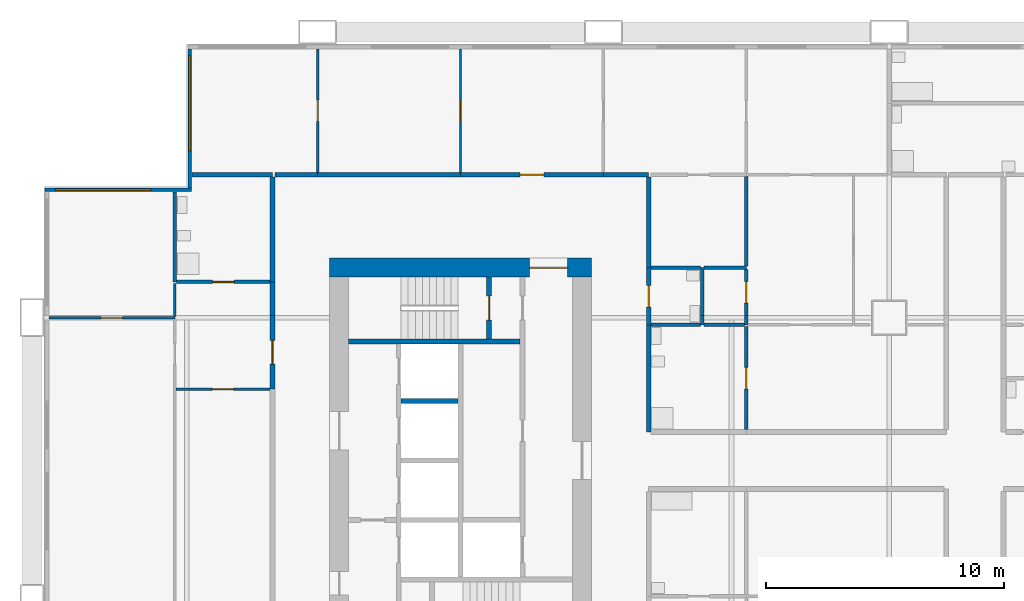
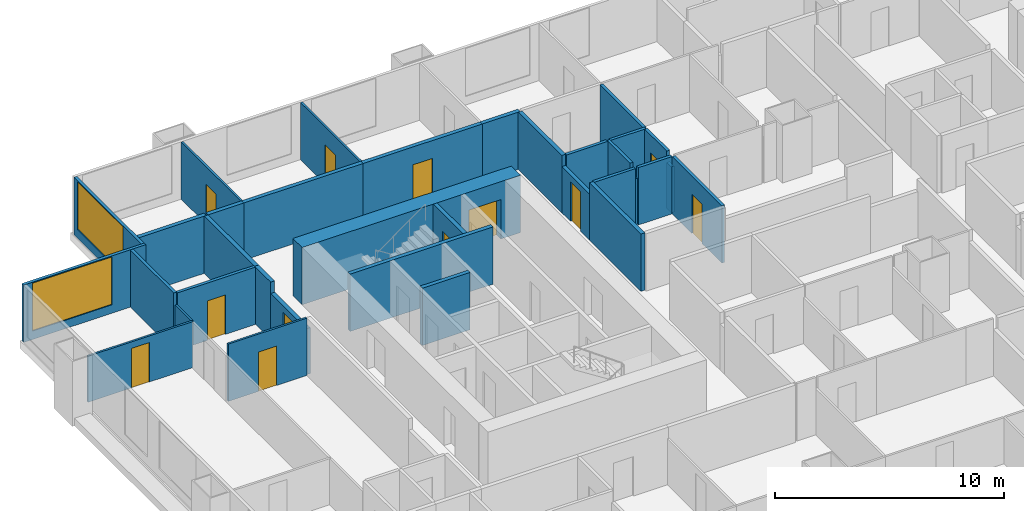
# One storey, part 7 of 13: 34 walls, 12 doors, 2 windows, 14 openings.
"""IFC4 building model written with IfcOpenShell, lengths in metres."""

from ifc_helpers import new_model, si_unit, direction, frame, frame_2d, origin, place, context, subcontext, project, spatial, rectangle, extrude, material, layer, layer_set, type_object, element, fill, save


model = new_model("IFC4")

# Units and contexts
model_context = context("Model", 3, precision=1e-05, world=origin(), true_north=direction((0.0, 1.0)))
body_context = subcontext(model_context, "Body", "Model", "MODEL_VIEW")
ifc_project = project(units=[si_unit("LENGTHUNIT", "METRE"), si_unit("AREAUNIT", "SQUARE_METRE"), si_unit("VOLUMEUNIT", "CUBIC_METRE"), si_unit("PLANEANGLEUNIT", "RADIAN"), si_unit("MASSUNIT", "GRAM", prefix="KILO")], contexts=[model_context])

# Site, building, storey
site_placement = place(None, origin())
site = spatial("IfcSite", under=ifc_project, at=site_placement, CompositionType="ELEMENT")
building_placement = place(site_placement, origin())
building = spatial("IfcBuilding", under=site, at=building_placement, Name="Kitamizu Gate Tower and Museum", CompositionType="ELEMENT")
storey_placement = place(building_placement, frame((0.0, 0.0, 88.64990234375)))
storey = spatial("IfcBuildingStorey", under=building, at=storey_placement, Name="L22", CompositionType="ELEMENT", Elevation=88.64990234375)

# Wall, opening, door
ifc_material_1 = material(Name="Concrete Fc60", Category="concrete")
ifc_layer_1 = layer(ifc_material_1, 0.800048828125)
ifc_layer_set_1 = layer_set([ifc_layer_1], Name="Concrete Fc60")
wall_type_1 = type_object("IfcWallType", Name="Core wall 800", PredefinedType="SHEAR", material=ifc_layer_set_1)
wall_1_placement = place(storey_placement, frame((12.5, 38.10009765625, 0.0), z_axis=(0.0, 0.0, 1.0), x_axis=(1.0, 0.0, 0.0)))
wall_1 = element("IfcWall", 1, at=wall_1_placement, inside=storey, type_object=wall_type_1, Name="Core wall WN", PredefinedType="SHEAR", context=body_context, shape_type="SweptSolid", body=[
    extrude(rectangle(XDim=11.0, YDim=0.800048828125, at=frame_2d((5.5, 0.0))), origin(), (0.0, 0.0, 1.0), 3.050048828125),
])
opening_1_placement = place(wall_1_placement, frame((8.39990234375, 0.0, 0.0)))
opening_1 = element("IfcOpeningElement", 2, at=opening_1_placement, cuts=wall_1, Name="Opening L22-083", PredefinedType="OPENING", context=body_context, shape_type="SweptSolid", body=[
    extrude(rectangle(XDim=1.60009765625, YDim=2.10009765625, at=frame_2d((0.800048828125, 1.050048828125))), frame((0.0, 0.41015625, 0.0), z_axis=(0.0, -1.0, 0.0), x_axis=(1.0, 0.0, 0.0)), (0.0, 0.0, 1.0), 0.820068359375),
])
ifc_material_2 = material(Name="Timber door set", Category="wood")
door_type_1 = type_object("IfcDoorType", Name="Entrance door 1600", OperationType="DOUBLE_DOOR_SINGLE_SWING", PredefinedType="DOOR", material=ifc_material_2)
door_1_placement = place(opening_1_placement, origin())
door_1 = element("IfcDoor", 3, at=door_1_placement, inside=storey, type_object=door_type_1, Name="Lobby door L22-083", OperationType="DOUBLE_DOOR_SINGLE_SWING", OverallHeight=2.10009765625, OverallWidth=1.60009765625, PredefinedType="DOOR", context=body_context, shape_type="SweptSolid", body=[
    extrude(rectangle(XDim=1.60009765625, YDim=2.10009765625, at=frame_2d((0.800048828125, 1.050048828125))), frame((0.0, 0.02490234375, 0.0), z_axis=(0.0, -1.0, 0.0), x_axis=(1.0, 0.0, 0.0)), (0.0, 0.0, 1.0), 0.050048828125),
])
fill(opening_1, door_1)

ifc_material_3 = material(Name="Gypsum board on galvanised stud")
ifc_layer_2 = layer(ifc_material_3, 0.10009765625)
ifc_layer_set_2 = layer_set([ifc_layer_2], Name="Gypsum board on galvanised stud")
wall_type_2 = type_object("IfcWallType", Name="Partition 100 NOT RATED", PredefinedType="PARTITIONING", material=ifc_layer_set_2)
wall_2_placement = place(storey_placement, frame((6.0, 36.0, 0.0), z_axis=(0.0, 0.0, 1.0), x_axis=(-1.0, 0.0, 0.0)))
wall_2 = element("IfcWall", 4, at=wall_2_placement, inside=storey, type_object=wall_type_2, Name="Partition L22-066", PredefinedType="PARTITIONING", context=body_context, shape_type="SweptSolid", body=[
    extrude(rectangle(XDim=5.280029296875, YDim=0.10009765625, at=frame_2d((2.64013671875, 0.0))), origin(), (0.0, 0.0, 1.0), 2.4501953125),
])
opening_2_placement = place(wall_2_placement, frame((2.18994140625, 0.0, 0.0)))
opening_2 = element("IfcOpeningElement", 5, at=opening_2_placement, cuts=wall_2, Name="Opening L22-026", PredefinedType="OPENING", context=body_context, shape_type="SweptSolid", body=[
    extrude(rectangle(XDim=0.89990234375, YDim=2.10009765625, at=frame_2d((0.449951171875, 1.050048828125))), frame((0.0, 0.06005859375, 0.0), z_axis=(0.0, -1.0, 0.0), x_axis=(1.0, 0.0, 0.0)), (0.0, 0.0, 1.0), 0.1201171875),
])
ifc_material_4 = material(Name="Timber door set", Category="wood")
door_type_2 = type_object("IfcDoorType", Name="Room door 900", OperationType="NOTDEFINED", PredefinedType="DOOR", material=ifc_material_4)
door_2_placement = place(opening_2_placement, frame((0.89990234375, 0.0, 0.0), x_axis=(-1.0, 0.0, 0.0)))
door_2 = element("IfcDoor", 6, at=door_2_placement, inside=storey, type_object=door_type_2, Name="Door L22-026", OperationType="SINGLE_SWING_LEFT", OverallHeight=2.10009765625, OverallWidth=0.89990234375, PredefinedType="DOOR", context=body_context, shape_type="SweptSolid", body=[
    extrude(rectangle(XDim=0.89990234375, YDim=2.10009765625, at=frame_2d((0.449951171875, 1.050048828125))), frame((0.0, 0.02490234375, 0.0), z_axis=(0.0, -1.0, 0.0), x_axis=(1.0, 0.0, 0.0)), (0.0, 0.0, 1.0), 0.050048828125),
])
fill(opening_2, door_2)

# Wall
wall_3_placement = place(storey_placement, frame((6.0, 36.050048828125, 0.0), z_axis=(0.0, 0.0, 1.0), x_axis=(0.0, 1.0, 0.0)))
element("IfcWall", 7, at=wall_3_placement, inside=storey, type_object=wall_type_2, Name="Partition L22-069", PredefinedType="PARTITIONING", context=body_context, shape_type="SweptSolid", body=[
    extrude(rectangle(XDim=1.375, YDim=0.10009765625, at=frame_2d((0.6875, 0.0))), origin(), (0.0, 0.0, 1.0), 2.4501953125),
])

# Wall, opening, door
wall_4_placement = place(storey_placement, frame((10.0, 33.0, 0.0), z_axis=(0.0, 0.0, 1.0), x_axis=(-1.0, 0.0, 0.0)))
wall_4 = element("IfcWall", 8, at=wall_4_placement, inside=storey, type_object=wall_type_2, Name="Partition L22-075", PredefinedType="PARTITIONING", context=body_context, shape_type="SweptSolid", body=[
    extrude(rectangle(XDim=3.949951171875, YDim=0.10009765625, at=frame_2d((1.97509765625, 0.0))), origin(), (0.0, 0.0, 1.0), 3.050048828125),
])
opening_3_placement = place(wall_4_placement, frame((1.52490234375, 0.0, 0.0)))
opening_3 = element("IfcOpeningElement", 9, at=opening_3_placement, cuts=wall_4, Name="Opening L22-023", PredefinedType="OPENING", context=body_context, shape_type="SweptSolid", body=[
    extrude(rectangle(XDim=0.89990234375, YDim=2.10009765625, at=frame_2d((0.449951171875, 1.050048828125))), frame((0.0, 0.06005859375, 0.0), z_axis=(0.0, -1.0, 0.0), x_axis=(1.0, 0.0, 0.0)), (0.0, 0.0, 1.0), 0.1201171875),
])
door_3_placement = place(opening_3_placement, frame((0.89990234375, 0.0, 0.0), x_axis=(-1.0, 0.0, 0.0)))
door_3 = element("IfcDoor", 10, at=door_3_placement, inside=storey, type_object=door_type_2, Name="Door L22-023", OperationType="SINGLE_SWING_RIGHT", OverallHeight=2.10009765625, OverallWidth=0.89990234375, PredefinedType="DOOR", context=body_context, shape_type="SweptSolid", body=[
    extrude(rectangle(XDim=0.89990234375, YDim=2.10009765625, at=frame_2d((0.449951171875, 1.050048828125))), frame((0.0, 0.02490234375, 0.0), z_axis=(0.0, -1.0, 0.0), x_axis=(1.0, 0.0, 0.0)), (0.0, 0.0, 1.0), 0.050048828125),
])
fill(opening_3, door_3)

wall_5_placement = place(storey_placement, frame((12.0, 42.10009765625, 0.0), z_axis=(0.0, 0.0, 1.0), x_axis=(0.0, 1.0, 0.0)))
wall_5 = element("IfcWall", 11, at=wall_5_placement, inside=storey, type_object=wall_type_2, Name="Partition L22-083", PredefinedType="PARTITIONING", context=body_context, shape_type="SweptSolid", body=[
    extrude(rectangle(XDim=5.179931640625, YDim=0.10009765625, at=frame_2d((2.58984375, 0.0))), origin(), (0.0, 0.0, 1.0), 3.050048828125),
])
opening_4_placement = place(wall_5_placement, frame((2.139892578125, 0.0, 0.0)))
opening_4 = element("IfcOpeningElement", 12, at=opening_4_placement, cuts=wall_5, Name="Opening L22-031", PredefinedType="OPENING", context=body_context, shape_type="SweptSolid", body=[
    extrude(rectangle(XDim=0.89990234375, YDim=2.10009765625, at=frame_2d((0.449951171875, 1.050048828125))), frame((0.0, 0.06005859375, 0.0), z_axis=(0.0, -1.0, 0.0), x_axis=(1.0, 0.0, 0.0)), (0.0, 0.0, 1.0), 0.1201171875),
])
door_4_placement = place(opening_4_placement, origin())
door_4 = element("IfcDoor", 13, at=door_4_placement, inside=storey, type_object=door_type_2, Name="Door L22-031", OperationType="SINGLE_SWING_LEFT", OverallHeight=2.10009765625, OverallWidth=0.89990234375, PredefinedType="DOOR", context=body_context, shape_type="SweptSolid", body=[
    extrude(rectangle(XDim=0.89990234375, YDim=2.10009765625, at=frame_2d((0.449951171875, 1.050048828125))), frame((0.0, 0.02490234375, 0.0), z_axis=(0.0, -1.0, 0.0), x_axis=(1.0, 0.0, 0.0)), (0.0, 0.0, 1.0), 0.050048828125),
])
fill(opening_4, door_4)

wall_6_placement = place(storey_placement, frame((18.0, 42.10009765625, 0.0), z_axis=(0.0, 0.0, 1.0), x_axis=(0.0, 1.0, 0.0)))
wall_6 = element("IfcWall", 14, at=wall_6_placement, inside=storey, type_object=wall_type_2, Name="Partition L22-085", PredefinedType="PARTITIONING", context=body_context, shape_type="SweptSolid", body=[
    extrude(rectangle(XDim=5.179931640625, YDim=0.10009765625, at=frame_2d((2.58984375, 0.0))), origin(), (0.0, 0.0, 1.0), 3.050048828125),
])
opening_5_placement = place(wall_6_placement, frame((2.139892578125, 0.0, 0.0)))
opening_5 = element("IfcOpeningElement", 15, at=opening_5_placement, cuts=wall_6, Name="Opening L22-030", PredefinedType="OPENING", context=body_context, shape_type="SweptSolid", body=[
    extrude(rectangle(XDim=0.89990234375, YDim=2.10009765625, at=frame_2d((0.449951171875, 1.050048828125))), frame((0.0, 0.06005859375, 0.0), z_axis=(0.0, -1.0, 0.0), x_axis=(1.0, 0.0, 0.0)), (0.0, 0.0, 1.0), 0.1201171875),
])
door_5_placement = place(opening_5_placement, origin())
door_5 = element("IfcDoor", 16, at=door_5_placement, inside=storey, type_object=door_type_2, Name="Door L22-030", OperationType="SINGLE_SWING_RIGHT", OverallHeight=2.10009765625, OverallWidth=0.89990234375, PredefinedType="DOOR", context=body_context, shape_type="SweptSolid", body=[
    extrude(rectangle(XDim=0.89990234375, YDim=2.10009765625, at=frame_2d((0.449951171875, 1.050048828125))), frame((0.0, 0.02490234375, 0.0), z_axis=(0.0, -1.0, 0.0), x_axis=(1.0, 0.0, 0.0)), (0.0, 0.0, 1.0), 0.050048828125),
])
fill(opening_5, door_5)

# Wall
ifc_material_5 = material(Name="Gypsum board on galvanised stud")
ifc_layer_3 = layer(ifc_material_5, 0.14990234375)
ifc_layer_set_3 = layer_set([ifc_layer_3], Name="Gypsum board on galvanised stud")
wall_type_3 = type_object("IfcWallType", Name="Partition 150", PredefinedType="PARTITIONING", material=ifc_layer_set_3)
wall_7_placement = place(storey_placement, frame((6.0, 37.5, 0.0), z_axis=(0.0, 0.0, 1.0), x_axis=(0.0, 1.0, 0.0)))
element("IfcWall", 17, at=wall_7_placement, inside=storey, type_object=wall_type_3, Name="Partition L22-070", PredefinedType="PARTITIONING", context=body_context, shape_type="SweptSolid", body=[
    extrude(rectangle(XDim=3.780029296875, YDim=0.14990234375, at=frame_2d((1.89013671875, 0.0))), origin(), (0.0, 0.0, 1.0), 3.050048828125),
])

# Wall, opening, door
wall_8_placement = place(storey_placement, frame((10.0, 37.5, 0.0), z_axis=(0.0, 0.0, 1.0), x_axis=(-1.0, 0.0, 0.0)))
wall_8 = element("IfcWall", 18, at=wall_8_placement, inside=storey, type_object=wall_type_3, Name="Partition L22-078", PredefinedType="PARTITIONING", context=body_context, shape_type="SweptSolid", body=[
    extrude(rectangle(XDim=3.925048828125, YDim=0.14990234375, at=frame_2d((1.96240234375, 0.0))), origin(), (0.0, 0.0, 1.0), 3.050048828125),
])
opening_6_placement = place(wall_8_placement, frame((1.512451171875, 0.0, 0.0)))
opening_6 = element("IfcOpeningElement", 19, at=opening_6_placement, cuts=wall_8, Name="Opening L22-025", PredefinedType="OPENING", context=body_context, shape_type="SweptSolid", body=[
    extrude(rectangle(XDim=0.89990234375, YDim=2.10009765625, at=frame_2d((0.449951171875, 1.050048828125))), frame((0.0, 0.0849609375, 0.0), z_axis=(0.0, -1.0, 0.0), x_axis=(1.0, 0.0, 0.0)), (0.0, 0.0, 1.0), 0.169921875),
])
ifc_material_6 = material(Name="Timber door set", Category="wood")
door_type_3 = type_object("IfcDoorType", Name="Bathroom door 900", OperationType="NOTDEFINED", PredefinedType="DOOR", material=ifc_material_6)
door_6_placement = place(opening_6_placement, frame((0.89990234375, 0.0, 0.0), x_axis=(-1.0, 0.0, 0.0)))
door_6 = element("IfcDoor", 20, at=door_6_placement, inside=storey, type_object=door_type_3, Name="Bathroom door L22-025", OperationType="SINGLE_SWING_RIGHT", OverallHeight=2.10009765625, OverallWidth=0.89990234375, PredefinedType="DOOR", context=body_context, shape_type="SweptSolid", body=[
    extrude(rectangle(XDim=0.89990234375, YDim=2.10009765625, at=frame_2d((0.449951171875, 1.050048828125))), frame((0.0, 0.02490234375, 0.0), z_axis=(0.0, -1.0, 0.0), x_axis=(1.0, 0.0, 0.0)), (0.0, 0.0, 1.0), 0.050048828125),
])
fill(opening_6, door_6)

# Walls
wall_9_placement = place(storey_placement, frame((28.14990234375, 35.699951171875, 0.0), z_axis=(0.0, 0.0, 1.0), x_axis=(0.0, 1.0, 0.0)))
element("IfcWall", 21, at=wall_9_placement, inside=storey, type_object=wall_type_3, Name="Partition L22-096", PredefinedType="PARTITIONING", context=body_context, shape_type="SweptSolid", body=[
    extrude(rectangle(XDim=0.400146484375, YDim=0.14990234375, at=frame_2d((0.2001953125, 0.0))), origin(), (0.0, 0.0, 1.0), 2.4501953125),
])
wall_10_placement = place(storey_placement, frame((28.14990234375, 36.10009765625, 0.0), z_axis=(0.0, 0.0, 1.0), x_axis=(0.0, 1.0, 0.0)))
element("IfcWall", 22, at=wall_10_placement, inside=storey, type_object=wall_type_3, Name="Partition L22-097", PredefinedType="PARTITIONING", context=body_context, shape_type="SweptSolid", body=[
    extrude(rectangle(XDim=2.0, YDim=0.14990234375, at=frame_2d((1.0, 0.0))), origin(), (0.0, 0.0, 1.0), 3.050048828125),
])
for number, where, z_axis, x_axis, name in (
    (23, (28.074951171875, 38.10009765625, 0.0), (0.0, 0.0, 1.0), (-1.0, 0.0, 0.0), "Partition L22-098"),
    (24, (26.0, 35.699951171875, 0.0), (0.0, 0.0, 1.0), (1.0, 0.0, 0.0), "Partition L22-099"),
):
    element("IfcWall", number, at=place(storey_placement, frame(where, z_axis=z_axis, x_axis=x_axis)), inside=storey, type_object=wall_type_3, Name=name, PredefinedType="PARTITIONING", context=body_context, shape_type="SweptSolid", body=[
        extrude(rectangle(XDim=2.074951171875, YDim=0.14990234375, at=frame_2d((1.03759765625, 0.0))), origin(), (0.0, 0.0, 1.0), 3.050048828125),
    ])
wall_11_placement = place(storey_placement, frame((30.0, 38.10009765625, 0.0), z_axis=(0.0, 0.0, 1.0), x_axis=(-1.0, 0.0, 0.0)))
element("IfcWall", 25, at=wall_11_placement, inside=storey, type_object=wall_type_3, Name="Partition L22-101", PredefinedType="PARTITIONING", context=body_context, shape_type="SweptSolid", body=[
    extrude(rectangle(XDim=1.77490234375, YDim=0.14990234375, at=frame_2d((0.887451171875, 0.0))), origin(), (0.0, 0.0, 1.0), 3.050048828125),
])
wall_12_placement = place(storey_placement, frame((30.0, 35.699951171875, 0.0), z_axis=(0.0, 0.0, 1.0), x_axis=(0.0, 1.0, 0.0)))
element("IfcWall", 26, at=wall_12_placement, inside=storey, type_object=wall_type_3, Name="Partition L22-102", PredefinedType="PARTITIONING", context=body_context, shape_type="SweptSolid", body=[
    extrude(rectangle(XDim=0.400146484375, YDim=0.14990234375, at=frame_2d((0.2001953125, 0.0))), origin(), (0.0, 0.0, 1.0), 2.4501953125),
])

# Wall, opening, door
wall_13_placement = place(storey_placement, frame((30.0, 36.10009765625, 0.0), z_axis=(0.0, 0.0, 1.0), x_axis=(0.0, 1.0, 0.0)))
wall_13 = element("IfcWall", 27, at=wall_13_placement, inside=storey, type_object=wall_type_3, Name="Partition L22-103", PredefinedType="PARTITIONING", context=body_context, shape_type="SweptSolid", body=[
    extrude(rectangle(XDim=1.9248046875, YDim=0.14990234375, at=frame_2d((0.96240234375, 0.0))), origin(), (0.0, 0.0, 1.0), 3.050048828125),
])
opening_7_placement = place(wall_13_placement, frame((0.512451171875, 0.0, 0.0)))
opening_7 = element("IfcOpeningElement", 28, at=opening_7_placement, cuts=wall_13, Name="Opening L22-038", PredefinedType="OPENING", context=body_context, shape_type="SweptSolid", body=[
    extrude(rectangle(XDim=0.89990234375, YDim=2.10009765625, at=frame_2d((0.449951171875, 1.050048828125))), frame((0.0, 0.0849609375, 0.0), z_axis=(0.0, -1.0, 0.0), x_axis=(1.0, 0.0, 0.0)), (0.0, 0.0, 1.0), 0.169921875),
])
door_7_placement = place(opening_7_placement, origin())
door_7 = element("IfcDoor", 29, at=door_7_placement, inside=storey, type_object=door_type_3, Name="Bathroom door L22-038", OperationType="SINGLE_SWING_LEFT", OverallHeight=2.10009765625, OverallWidth=0.89990234375, PredefinedType="DOOR", context=body_context, shape_type="SweptSolid", body=[
    extrude(rectangle(XDim=0.89990234375, YDim=2.10009765625, at=frame_2d((0.449951171875, 1.050048828125))), frame((0.0, 0.02490234375, 0.0), z_axis=(0.0, -1.0, 0.0), x_axis=(1.0, 0.0, 0.0)), (0.0, 0.0, 1.0), 0.050048828125),
])
fill(opening_7, door_7)

# Walls
wall_14_placement = place(storey_placement, frame((28.22509765625, 35.699951171875, 0.0), z_axis=(0.0, 0.0, 1.0), x_axis=(1.0, 0.0, 0.0)))
element("IfcWall", 30, at=wall_14_placement, inside=storey, type_object=wall_type_3, Name="Partition L22-104", PredefinedType="PARTITIONING", context=body_context, shape_type="SweptSolid", body=[
    extrude(rectangle(XDim=1.699951171875, YDim=0.14990234375, at=frame_2d((0.85009765625, 0.0))), origin(), (0.0, 0.0, 1.0), 3.050048828125),
])
wall_15_placement = place(storey_placement, frame((30.0, 38.175048828125, 0.0), z_axis=(0.0, 0.0, 1.0), x_axis=(0.0, 1.0, 0.0)))
element("IfcWall", 31, at=wall_15_placement, inside=storey, type_object=wall_type_3, Name="Partition L22-105", PredefinedType="PARTITIONING", context=body_context, shape_type="SweptSolid", body=[
    extrude(rectangle(XDim=3.75, YDim=0.14990234375, at=frame_2d((1.875, 0.0))), origin(), (0.0, 0.0, 1.0), 3.050048828125),
])

# Wall, opening, door
wall_16_placement = place(storey_placement, frame((30.0, 31.300048828125, 0.0), z_axis=(0.0, 0.0, 1.0), x_axis=(0.0, 1.0, 0.0)))
wall_16 = element("IfcWall", 32, at=wall_16_placement, inside=storey, type_object=wall_type_3, Name="Partition L22-115", PredefinedType="PARTITIONING", context=body_context, shape_type="SweptSolid", body=[
    extrude(rectangle(XDim=4.324951171875, YDim=0.14990234375, at=frame_2d((2.16259765625, 0.0))), origin(), (0.0, 0.0, 1.0), 3.050048828125),
])
opening_8_placement = place(wall_16_placement, frame((1.71240234375, 0.0, 0.0)))
opening_8 = element("IfcOpeningElement", 33, at=opening_8_placement, cuts=wall_16, Name="Opening L22-039", PredefinedType="OPENING", context=body_context, shape_type="SweptSolid", body=[
    extrude(rectangle(XDim=0.89990234375, YDim=2.10009765625, at=frame_2d((0.449951171875, 1.050048828125))), frame((0.0, 0.0849609375, 0.0), z_axis=(0.0, -1.0, 0.0), x_axis=(1.0, 0.0, 0.0)), (0.0, 0.0, 1.0), 0.169921875),
])
door_8_placement = place(opening_8_placement, origin())
door_8 = element("IfcDoor", 34, at=door_8_placement, inside=storey, type_object=door_type_3, Name="Bathroom door L22-039", OperationType="SINGLE_SWING_RIGHT", OverallHeight=2.10009765625, OverallWidth=0.89990234375, PredefinedType="DOOR", context=body_context, shape_type="SweptSolid", body=[
    extrude(rectangle(XDim=0.89990234375, YDim=2.10009765625, at=frame_2d((0.449951171875, 1.050048828125))), frame((0.0, 0.02490234375, 0.0), z_axis=(0.0, -1.0, 0.0), x_axis=(1.0, 0.0, 0.0)), (0.0, 0.0, 1.0), 0.050048828125),
])
fill(opening_8, door_8)

ifc_material_7 = material(Name="Gypsum board on galvanised stud")
ifc_layer_4 = layer(ifc_material_7, 0.199951171875)
ifc_layer_set_4 = layer_set([ifc_layer_4], Name="Gypsum board on galvanised stud")
wall_type_4 = type_object("IfcWallType", Name="Partition 200", PredefinedType="PARTITIONING", material=ifc_layer_set_4)
wall_17_placement = place(storey_placement, frame((10.10009765625, 33.0, 0.0), z_axis=(0.0, 0.0, 1.0), x_axis=(0.0, 1.0, 0.0)))
wall_17 = element("IfcWall", 35, at=wall_17_placement, inside=storey, type_object=wall_type_4, Name="Partition L22-079", PredefinedType="PARTITIONING", context=body_context, shape_type="SweptSolid", body=[
    extrude(rectangle(XDim=3.10009765625, YDim=0.199951171875, at=frame_2d((1.550048828125, 0.0))), origin(), (0.0, 0.0, 1.0), 2.4501953125),
])
opening_9_placement = place(wall_17_placement, frame((1.050048828125, 0.0, 0.0)))
opening_9 = element("IfcOpeningElement", 36, at=opening_9_placement, cuts=wall_17, Name="Opening L22-021", PredefinedType="OPENING", context=body_context, shape_type="SweptSolid", body=[
    extrude(rectangle(XDim=1.0, YDim=2.10009765625, at=frame_2d((0.5, 1.050048828125))), frame((0.0, 0.10986328125, 0.0), z_axis=(0.0, -1.0, 0.0), x_axis=(1.0, 0.0, 0.0)), (0.0, 0.0, 1.0), 0.219970703125),
])
ifc_material_8 = material(Name="Timber door set", Category="wood")
door_type_4 = type_object("IfcDoorType", Name="Flat entrance door 1000", OperationType="NOTDEFINED", PredefinedType="DOOR", material=ifc_material_8)
door_9_placement = place(opening_9_placement, origin())
door_9 = element("IfcDoor", 37, at=door_9_placement, inside=storey, type_object=door_type_4, Name="Flat entrance door L22-021", OperationType="SINGLE_SWING_RIGHT", OverallHeight=2.10009765625, OverallWidth=1.0, PredefinedType="DOOR", context=body_context, shape_type="SweptSolid", body=[
    extrude(rectangle(XDim=1.0, YDim=2.10009765625, at=frame_2d((0.5, 1.050048828125))), frame((0.0, 0.02490234375, 0.0), z_axis=(0.0, -1.0, 0.0), x_axis=(1.0, 0.0, 0.0)), (0.0, 0.0, 1.0), 0.050048828125),
])
fill(opening_9, door_9)

# Walls
wall_18_placement = place(storey_placement, frame((10.10009765625, 36.10009765625, 0.0), z_axis=(0.0, 0.0, 1.0), x_axis=(0.0, 1.0, 0.0)))
element("IfcWall", 38, at=wall_18_placement, inside=storey, type_object=wall_type_4, Name="Partition L22-080", PredefinedType="PARTITIONING", context=body_context, shape_type="SweptSolid", body=[
    extrude(rectangle(XDim=1.39990234375, YDim=0.199951171875, at=frame_2d((0.699951171875, 0.0))), origin(), (0.0, 0.0, 1.0), 3.050048828125),
])
wall_19_placement = place(storey_placement, frame((10.10009765625, 42.0, 0.0), z_axis=(0.0, 0.0, 1.0), x_axis=(-1.0, 0.0, 0.0)))
element("IfcWall", 39, at=wall_19_placement, inside=storey, type_object=wall_type_4, Name="Partition L22-081", PredefinedType="PARTITIONING", context=body_context, shape_type="SweptSolid", body=[
    extrude(rectangle(XDim=3.380126953125, YDim=0.199951171875, at=frame_2d((1.68994140625, 0.0))), origin(), (0.0, 0.0, 1.0), 3.050048828125),
])
wall_20_placement = place(storey_placement, frame((10.10009765625, 37.5, 0.0), z_axis=(0.0, 0.0, 1.0), x_axis=(0.0, 1.0, 0.0)))
element("IfcWall", 40, at=wall_20_placement, inside=storey, type_object=wall_type_4, Name="Partition L22-082", PredefinedType="PARTITIONING", context=body_context, shape_type="SweptSolid", body=[
    extrude(rectangle(XDim=4.39990234375, YDim=0.199951171875, at=frame_2d((2.199951171875, 0.0))), origin(), (0.0, 0.0, 1.0), 3.050048828125),
])
wall_21_placement = place(storey_placement, frame((10.199951171875, 42.0, 0.0), z_axis=(0.0, 0.0, 1.0), x_axis=(1.0, 0.0, 0.0)))
element("IfcWall", 41, at=wall_21_placement, inside=storey, type_object=wall_type_4, Name="Partition L22-084", PredefinedType="PARTITIONING", context=body_context, shape_type="SweptSolid", body=[
    extrude(rectangle(XDim=1.800048828125, YDim=0.199951171875, at=frame_2d((0.89990234375, 0.0))), origin(), (0.0, 0.0, 1.0), 3.050048828125),
])
wall_22_placement = place(storey_placement, frame((12.0, 42.0, 0.0), z_axis=(0.0, 0.0, 1.0), x_axis=(1.0, 0.0, 0.0)))
element("IfcWall", 42, at=wall_22_placement, inside=storey, type_object=wall_type_4, Name="Partition L22-086", PredefinedType="PARTITIONING", context=body_context, shape_type="SweptSolid", body=[
    extrude(rectangle(XDim=6.0, YDim=0.199951171875, at=frame_2d((3.0, 0.0))), origin(), (0.0, 0.0, 1.0), 3.050048828125),
])

# Wall, opening, door
wall_23_placement = place(storey_placement, frame((18.0, 42.0, 0.0), z_axis=(0.0, 0.0, 1.0), x_axis=(1.0, 0.0, 0.0)))
wall_23 = element("IfcWall", 43, at=wall_23_placement, inside=storey, type_object=wall_type_4, Name="Partition L22-088", PredefinedType="PARTITIONING", context=body_context, shape_type="SweptSolid", body=[
    extrude(rectangle(XDim=6.0, YDim=0.199951171875, at=frame_2d((3.0, 0.0))), origin(), (0.0, 0.0, 1.0), 3.050048828125),
])
opening_10_placement = place(wall_23_placement, frame((2.5, 0.0, 0.0)))
opening_10 = element("IfcOpeningElement", 44, at=opening_10_placement, cuts=wall_23, Name="Opening L22-029", PredefinedType="OPENING", context=body_context, shape_type="SweptSolid", body=[
    extrude(rectangle(XDim=1.0, YDim=2.10009765625, at=frame_2d((0.5, 1.050048828125))), frame((0.0, 0.10986328125, 0.0), z_axis=(0.0, -1.0, 0.0), x_axis=(1.0, 0.0, 0.0)), (0.0, 0.0, 1.0), 0.219970703125),
])
door_10_placement = place(opening_10_placement, origin())
door_10 = element("IfcDoor", 45, at=door_10_placement, inside=storey, type_object=door_type_4, Name="Flat entrance door L22-029", OperationType="SINGLE_SWING_LEFT", OverallHeight=2.10009765625, OverallWidth=1.0, PredefinedType="DOOR", context=body_context, shape_type="SweptSolid", body=[
    extrude(rectangle(XDim=1.0, YDim=2.10009765625, at=frame_2d((0.5, 1.050048828125))), frame((0.0, 0.02490234375, 0.0), z_axis=(0.0, -1.0, 0.0), x_axis=(1.0, 0.0, 0.0)), (0.0, 0.0, 1.0), 0.050048828125),
])
fill(opening_10, door_10)

# Wall
wall_24_placement = place(storey_placement, frame((24.0, 42.0, 0.0), z_axis=(0.0, 0.0, 1.0), x_axis=(1.0, 0.0, 0.0)))
element("IfcWall", 46, at=wall_24_placement, inside=storey, type_object=wall_type_4, Name="Partition L22-091", PredefinedType="PARTITIONING", context=body_context, shape_type="SweptSolid", body=[
    extrude(rectangle(XDim=1.89990234375, YDim=0.199951171875, at=frame_2d((0.949951171875, 0.0))), origin(), (0.0, 0.0, 1.0), 3.050048828125),
])

# Wall, opening, door
wall_25_placement = place(storey_placement, frame((25.89990234375, 38.10009765625, 0.0), z_axis=(0.0, 0.0, 1.0), x_axis=(0.0, -1.0, 0.0)))
wall_25 = element("IfcWall", 47, at=wall_25_placement, inside=storey, type_object=wall_type_4, Name="Partition L22-100", PredefinedType="PARTITIONING", context=body_context, shape_type="SweptSolid", body=[
    extrude(rectangle(XDim=2.400146484375, YDim=0.199951171875, at=frame_2d((1.2001953125, 0.0))), origin(), (0.0, 0.0, 1.0), 2.4501953125),
])
opening_11_placement = place(wall_25_placement, frame((0.75, 0.0, 0.0)))
opening_11 = element("IfcOpeningElement", 48, at=opening_11_placement, cuts=wall_25, Name="Opening L22-040", PredefinedType="OPENING", context=body_context, shape_type="SweptSolid", body=[
    extrude(rectangle(XDim=0.89990234375, YDim=2.10009765625, at=frame_2d((0.449951171875, 1.050048828125))), frame((0.0, 0.10986328125, 0.0), z_axis=(0.0, -1.0, 0.0), x_axis=(1.0, 0.0, 0.0)), (0.0, 0.0, 1.0), 0.219970703125),
])
ifc_material_9 = material(Name="Timber door set", Category="wood")
door_type_5 = type_object("IfcDoorType", Name="Store door 900", OperationType="NOTDEFINED", PredefinedType="DOOR", material=ifc_material_9)
door_11_placement = place(opening_11_placement, origin())
door_11 = element("IfcDoor", 49, at=door_11_placement, inside=storey, type_object=door_type_5, Name="Service entrance door L22-040", OperationType="SINGLE_SWING_LEFT", OverallHeight=2.10009765625, OverallWidth=0.89990234375, PredefinedType="DOOR", context=body_context, shape_type="SweptSolid", body=[
    extrude(rectangle(XDim=0.89990234375, YDim=2.10009765625, at=frame_2d((0.449951171875, 1.050048828125))), frame((0.0, 0.02490234375, 0.0), z_axis=(0.0, -1.0, 0.0), x_axis=(1.0, 0.0, 0.0)), (0.0, 0.0, 1.0), 0.050048828125),
])
fill(opening_11, door_11)

# Walls
wall_26_placement = place(storey_placement, frame((25.89990234375, 41.89990234375, 0.0), z_axis=(0.0, 0.0, 1.0), x_axis=(0.0, -1.0, 0.0)))
element("IfcWall", 50, at=wall_26_placement, inside=storey, type_object=wall_type_4, Name="Partition L22-106", PredefinedType="PARTITIONING", context=body_context, shape_type="SweptSolid", body=[
    extrude(rectangle(XDim=3.7998046875, YDim=0.199951171875, at=frame_2d((1.89990234375, 0.0))), origin(), (0.0, 0.0, 1.0), 3.050048828125),
])
wall_27_placement = place(storey_placement, frame((25.89990234375, 35.699951171875, 0.0), z_axis=(0.0, 0.0, 1.0), x_axis=(0.0, -1.0, 0.0)))
element("IfcWall", 51, at=wall_27_placement, inside=storey, type_object=wall_type_4, Name="Partition L22-116", PredefinedType="PARTITIONING", context=body_context, shape_type="SweptSolid", body=[
    extrude(rectangle(XDim=4.5, YDim=0.199951171875, at=frame_2d((2.25, 0.0))), origin(), (0.0, 0.0, 1.0), 3.050048828125),
])
ifc_material_10 = material(Name="Concrete Fc42", Category="concrete")
ifc_layer_5 = layer(ifc_material_10, 0.199951171875)
ifc_layer_set_5 = layer_set([ifc_layer_5], Name="Concrete Fc42")
wall_type_5 = type_object("IfcWallType", Name="Shaft wall 200", PredefinedType="SOLIDWALL", material=ifc_layer_set_5)
wall_28_placement = place(storey_placement, frame((13.300048828125, 35.0, 0.0), z_axis=(0.0, 0.0, 1.0), x_axis=(1.0, 0.0, 0.0)))
element("IfcWall", 52, at=wall_28_placement, inside=storey, type_object=wall_type_5, Name="Shaft wall WNB", PredefinedType="SOLIDWALL", context=body_context, shape_type="SweptSolid", body=[
    extrude(rectangle(XDim=7.199951171875, YDim=0.199951171875, at=frame_2d((3.60009765625, 0.0))), origin(), (0.0, 0.0, 1.0), 3.050048828125),
])

# Wall, opening, door
wall_29_placement = place(storey_placement, frame((19.199951171875, 35.10009765625, 0.0), z_axis=(0.0, 0.0, 1.0), x_axis=(0.0, 1.0, 0.0)))
wall_29 = element("IfcWall", 53, at=wall_29_placement, inside=storey, type_object=wall_type_5, Name="Shaft wall WNZ", PredefinedType="SOLIDWALL", context=body_context, shape_type="SweptSolid", body=[
    extrude(rectangle(XDim=2.599853515625, YDim=0.199951171875, at=frame_2d((1.2998046875, 0.0))), origin(), (0.0, 0.0, 1.0), 3.050048828125),
])
opening_12_placement = place(wall_29_placement, frame((0.800048828125, 0.0, 0.0)))
opening_12 = element("IfcOpeningElement", 54, at=opening_12_placement, cuts=wall_29, Name="Opening L22-079", PredefinedType="OPENING", context=body_context, shape_type="SweptSolid", body=[
    extrude(rectangle(XDim=1.0, YDim=2.10009765625, at=frame_2d((0.5, 1.050048828125))), frame((0.0, 0.10986328125, 0.0), z_axis=(0.0, -1.0, 0.0), x_axis=(1.0, 0.0, 0.0)), (0.0, 0.0, 1.0), 0.219970703125),
])
ifc_material_11 = material(Name="Hollow metal door set")
door_type_6 = type_object("IfcDoorType", Name="Fire door 1000", OperationType="NOTDEFINED", PredefinedType="DOOR", material=ifc_material_11)
door_12_placement = place(opening_12_placement, origin())
door_12 = element("IfcDoor", 55, at=door_12_placement, inside=storey, type_object=door_type_6, Name="Stair door L22-079", OperationType="SINGLE_SWING_LEFT", OverallHeight=2.10009765625, OverallWidth=1.0, PredefinedType="DOOR", context=body_context, shape_type="SweptSolid", body=[
    extrude(rectangle(XDim=1.0, YDim=2.10009765625, at=frame_2d((0.5, 1.050048828125))), frame((0.0, 0.02490234375, 0.0), z_axis=(0.0, -1.0, 0.0), x_axis=(1.0, 0.0, 0.0)), (0.0, 0.0, 1.0), 0.050048828125),
])
fill(opening_12, door_12)

# Wall
wall_30_placement = place(storey_placement, frame((15.5, 32.5, 0.0), z_axis=(0.0, 0.0, 1.0), x_axis=(1.0, 0.0, 0.0)))
element("IfcWall", 56, at=wall_30_placement, inside=storey, type_object=wall_type_5, Name="Shaft wall WDVW2", PredefinedType="SOLIDWALL", context=body_context, shape_type="SweptSolid", body=[
    extrude(rectangle(XDim=2.39990234375, YDim=0.199951171875, at=frame_2d((1.199951171875, 0.0))), origin(), (0.0, 0.0, 1.0), 3.050048828125),
])

# Wall, opening, window
ifc_material_12 = material(Name="Bronze anodised aluminium frame with insulated spandrel and tinted glass", Category="aluminium")
ifc_layer_6 = layer(ifc_material_12, 0.14990234375)
ifc_layer_set_6 = layer_set([ifc_layer_6], Name="Bronze anodised aluminium frame with insulated spandrel and tinted glass")
wall_type_6 = type_object("IfcWallType", Name="WINDOW WALL 150 BRONZE FRAME EI 30", PredefinedType="ELEMENTEDWALL", material=ifc_layer_set_6)
wall_31_placement = place(storey_placement, frame((6.635009765625, 41.43994140625, 0.0), z_axis=(0.0, 0.0, 1.0), x_axis=(0.0, 1.0, 0.0)))
wall_31 = element("IfcWall", 57, at=wall_31_placement, inside=storey, type_object=wall_type_6, Name="Window wall west L22", PredefinedType="ELEMENTEDWALL", context=body_context, shape_type="SweptSolid", body=[
    extrude(rectangle(XDim=5.85009765625, YDim=0.14990234375, at=frame_2d((2.925048828125, 0.0))), origin(), (0.0, 0.0, 1.0), 3.050048828125),
])
opening_13_placement = place(wall_31_placement, frame((1.56005859375, 0.0, 0.449951171875)))
opening_13 = element("IfcOpeningElement", 58, at=opening_13_placement, cuts=wall_31, Name="Opening W16", PredefinedType="OPENING", context=body_context, shape_type="SweptSolid", body=[
    extrude(rectangle(XDim=4.0, YDim=2.550048828125, at=frame_2d((2.0, 1.27490234375))), frame((0.0, 0.0849609375, 0.0), z_axis=(0.0, -1.0, 0.0), x_axis=(1.0, 0.0, 0.0)), (0.0, 0.0, 1.0), 0.169921875),
])
ifc_material_13 = material(Name="Bronze anodised aluminium frame, tinted triple glazing", Category="aluminium")
window_type = type_object("IfcWindowType", Name="WINDOW 4000 x 2550 SILL 450", PartitioningType="SINGLE_PANEL", PredefinedType="WINDOW", material=ifc_material_13)
window_1_placement = place(opening_13_placement, origin())
window_1 = element("IfcWindow", 59, at=window_1_placement, inside=storey, type_object=window_type, Name="Window W16 L22", OverallHeight=2.550048828125, OverallWidth=4.0, PartitioningType="SINGLE_PANEL", PredefinedType="WINDOW", context=body_context, shape_type="SweptSolid", body=[
    extrude(rectangle(XDim=4.0, YDim=2.550048828125, at=frame_2d((2.0, 1.27490234375))), frame((0.0, 0.030029296875, 0.0), z_axis=(0.0, -1.0, 0.0), x_axis=(1.0, 0.0, 0.0)), (0.0, 0.0, 1.0), 0.06005859375),
])
fill(opening_13, window_1)

wall_32_placement = place(storey_placement, frame((0.56005859375, 41.364990234375, 0.0), z_axis=(0.0, 0.0, 1.0), x_axis=(1.0, 0.0, 0.0)))
wall_32 = element("IfcWall", 60, at=wall_32_placement, inside=storey, type_object=wall_type_6, Name="Window wall north L22", PredefinedType="ELEMENTEDWALL", context=body_context, shape_type="SweptSolid", body=[
    extrude(rectangle(XDim=6.14990234375, YDim=0.14990234375, at=frame_2d((3.074951171875, 0.0))), origin(), (0.0, 0.0, 1.0), 3.050048828125),
])
opening_14_placement = place(wall_32_placement, frame((0.43994140625, 0.0, 0.449951171875)))
opening_14 = element("IfcOpeningElement", 61, at=opening_14_placement, cuts=wall_32, Name="Opening W16", PredefinedType="OPENING", context=body_context, shape_type="SweptSolid", body=[
    extrude(rectangle(XDim=4.0, YDim=2.550048828125, at=frame_2d((2.0, 1.27490234375))), frame((0.0, 0.0849609375, 0.0), z_axis=(0.0, -1.0, 0.0), x_axis=(1.0, 0.0, 0.0)), (0.0, 0.0, 1.0), 0.169921875),
])
window_2_placement = place(opening_14_placement, origin())
window_2 = element("IfcWindow", 62, at=window_2_placement, inside=storey, type_object=window_type, Name="Window W16 L22", OverallHeight=2.550048828125, OverallWidth=4.0, PartitioningType="SINGLE_PANEL", PredefinedType="WINDOW", context=body_context, shape_type="SweptSolid", body=[
    extrude(rectangle(XDim=4.0, YDim=2.550048828125, at=frame_2d((2.0, 1.27490234375))), frame((0.0, 0.030029296875, 0.0), z_axis=(0.0, -1.0, 0.0), x_axis=(1.0, 0.0, 0.0)), (0.0, 0.0, 1.0), 0.06005859375),
])
fill(opening_14, window_2)

save(model, "model.ifc")
